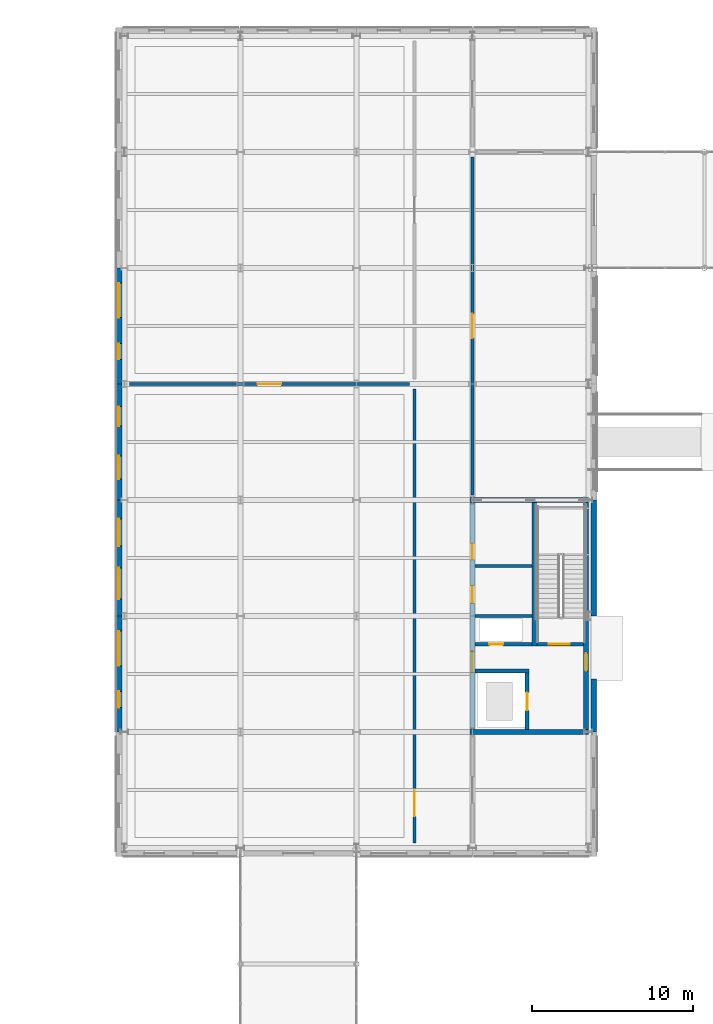
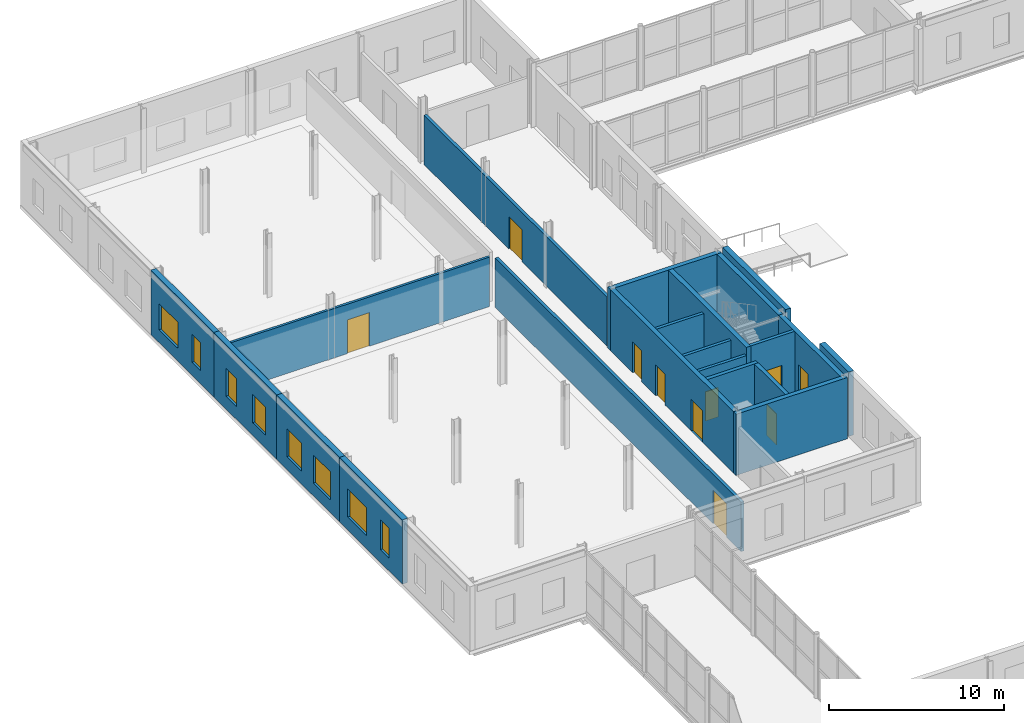
# One storey, part 60 of 92: 21 walls, 10 doors, 8 windows, 18 openings.
"""IFC4 building model written with IfcOpenShell, lengths in metres."""

import ifcopenshell
import ifcopenshell.guid

model = None  # the IFC model being written
_history = None  # IfcOwnerHistory: only IFC2X3 demands one
_inside = {}  # id of a spatial element -> (the spatial element, [elements in it])
_under = {}  # id of a project, library or spatial element -> (it, [spatial elements below it])
_declared = {}  # id of a project -> (the project, [libraries it declares])
_typed = {}  # id of a type object -> (the type object, [elements of that type])
_made_of = {}  # id of a material, layer set ... -> (it, [elements and type objects made of it])


def new_model(schema):
    """Start an empty IFC model of exactly this schema.

    Asked for "IFC4X3", IfcOpenShell would pick the latest addendum, in which some entities
    have other attributes; the version numbers below select the first issue.
    IFC2X3 requires an IfcOwnerHistory on every rooted entity: one is made here for all.
    """
    global model, _history
    if schema == "IFC4X3":
        model = ifcopenshell.file(schema_version=(4, 3, 0, 0))
    else:
        model = ifcopenshell.file(schema=schema)
    _inside.clear()
    _under.clear()
    _declared.clear()
    _typed.clear()
    _made_of.clear()
    _history = None
    if model.schema == "IFC2X3":
        org = make("IfcOrganization", Name="unknown")
        user = make(
            "IfcPersonAndOrganization",
            ThePerson=make("IfcPerson", FamilyName="unknown"),
            TheOrganization=org,
        )
        app = make(
            "IfcApplication",
            ApplicationDeveloper=org,
            Version="unknown",
            ApplicationFullName="unknown",
            ApplicationIdentifier="unknown",
        )
        _history = make(
            "IfcOwnerHistory",
            OwningUser=user,
            OwningApplication=app,
            ChangeAction="ADDED",
            CreationDate=0,
        )
    return model


def make(cls, **values):
    """One entity of the class cls with the attributes given. An attribute that is None is left unset."""
    return model.create_entity(
        cls, **{name: value for name, value in values.items() if value is not None}
    )


def rooted(cls, **values):
    """An entity with a GlobalId (a new one), such as an element, a storey or a relation."""
    return make(cls, GlobalId=ifcopenshell.guid.new(), OwnerHistory=_history, **values)


def si_unit(unit_type, name, prefix=None):
    """IfcSIUnit, for example si_unit("LENGTHUNIT", "METRE", prefix="MILLI")."""
    return make("IfcSIUnit", UnitType=unit_type, Prefix=prefix, Name=name)


def assignment(units):
    """IfcUnitAssignment: the units of a project."""
    return None if units is None else make("IfcUnitAssignment", Units=units)


def point(xyz):
    """IfcCartesianPoint."""
    return None if xyz is None else make("IfcCartesianPoint", Coordinates=xyz)


def direction(xyz):
    """IfcDirection."""
    return None if xyz is None else make("IfcDirection", DirectionRatios=xyz)


def frame(location, z_axis=None, x_axis=None):
    """IfcAxis2Placement3D, a coordinate frame: its origin and axes. An axis left out is left unset."""
    return make(
        "IfcAxis2Placement3D",
        Location=point(location),
        Axis=direction(z_axis),
        RefDirection=direction(x_axis),
    )


def frame_2d(location, x_axis=None):
    """IfcAxis2Placement2D, a coordinate frame in the plane: its origin and x axis."""
    return make(
        "IfcAxis2Placement2D", Location=point(location), RefDirection=direction(x_axis)
    )


def origin():
    """The frame at (0, 0, 0) with its axes left unset."""
    return frame((0.0, 0.0, 0.0))


def place(relative_to, where):
    """IfcLocalPlacement: puts the frame where relative to a parent placement (None: the world)."""
    return make(
        "IfcLocalPlacement", PlacementRelTo=relative_to, RelativePlacement=where
    )


def context(
    kind, dimensions, precision=None, world=None, true_north=None, identifier=None
):
    """IfcGeometricRepresentationContext, for example the 3D "Model" context."""
    return make(
        "IfcGeometricRepresentationContext",
        ContextIdentifier=identifier,
        ContextType=kind,
        CoordinateSpaceDimension=dimensions,
        Precision=precision,
        WorldCoordinateSystem=world,
        TrueNorth=true_north,
    )


def subcontext(parent, identifier, kind, view, scale=None):
    """IfcGeometricRepresentationSubContext, for example "Body" below "Model"."""
    return make(
        "IfcGeometricRepresentationSubContext",
        ContextIdentifier=identifier,
        ContextType=kind,
        ParentContext=parent,
        TargetScale=scale,
        TargetView=view,
    )


def project(units=None, contexts=None):
    """IfcProject with its units and contexts."""
    return rooted(
        "IfcProject",
        Name="project",
        RepresentationContexts=contexts,
        UnitsInContext=assignment(units),
    )


def spatial(cls, under=None, at=None, **own):
    """A site, building, storey or space (cls), placed at a placement, below another one or the project."""
    s = rooted(cls, ObjectPlacement=at, **own)
    if under is not None:
        _under.setdefault(under.id(), (under, []))[1].append(s)
    return s


def profile(cls, at=None, kind="AREA", **sizes):
    """A parametric profile (cls). Its sizes go by their IFC names, for example OverallWidth=200.0."""
    return make(cls, ProfileType=kind, Position=at, **sizes)


def rectangle(**sizes):
    """IfcRectangleProfileDef."""
    return profile("IfcRectangleProfileDef", **sizes)


def extrude(swept, where, along, depth):
    """IfcExtrudedAreaSolid: the profile swept, set in the frame where, extruded along a direction by depth."""
    return make(
        "IfcExtrudedAreaSolid",
        SweptArea=swept,
        Position=where,
        ExtrudedDirection=direction(along),
        Depth=depth,
    )


def shape(context_of_items, identifier, shape_type, items):
    """IfcShapeRepresentation: the items that make up one representation, for example the "Body"."""
    return make(
        "IfcShapeRepresentation",
        ContextOfItems=context_of_items,
        RepresentationIdentifier=identifier,
        RepresentationType=shape_type,
        Items=items,
    )


def material(Name=None, Category=None):
    """IfcMaterial."""
    return make("IfcMaterial", Name=Name, Category=Category)


def layer(
    of_material, thickness, ventilated=None, Name=None, Category=None, Priority=None
):
    """IfcMaterialLayer: one layer of a wall or slab, of a material (None: an air gap)."""
    return make(
        "IfcMaterialLayer",
        Material=of_material,
        LayerThickness=thickness,
        IsVentilated=ventilated,
        Name=Name,
        Category=Category,
        Priority=Priority,
    )


def layer_set(layers, Name=None):
    """IfcMaterialLayerSet."""
    return make("IfcMaterialLayerSet", MaterialLayers=layers, LayerSetName=Name)


def made_of(thing, what):
    """Note that an element or type object is made of a material, layer set ...; save() writes the relation."""
    if what is not None:
        _made_of.setdefault(what.id(), (what, []))[1].append(thing)
    return thing


def type_object(cls, material=None, **own):
    """A type object (cls), such as IfcWallType, which elements share."""
    return made_of(rooted(cls, **own), material)


def element(
    cls,
    number,
    at=None,
    inside=None,
    cuts=None,
    type_object=None,
    material=None,
    context=None,
    identifier="Body",
    shape_type=None,
    held_by="IfcProductDefinitionShape",
    body=None,
    shapes=None,
    **own,
):
    """One element of the class cls, such as IfcWall. Its Tag is "e" and its number.

    at: its placement. inside: the storey or other place that contains it. cuts: it is an
    opening in that element (IfcRelVoidsElement). A single representation is given by context,
    identifier, shape_type and body (its items); several are given by shapes. held_by: the class
    of the entity that holds the representations. save() writes the other relations.
    """
    e = rooted(cls, Tag="e%d" % number, ObjectPlacement=at, **own)
    if body is not None:
        shapes = [shape(context, identifier, shape_type, body)]
    if shapes is not None:
        e.Representation = make(held_by, Representations=shapes)
    if inside is not None:
        _inside.setdefault(inside.id(), (inside, []))[1].append(e)
    if cuts is not None:
        rooted(
            "IfcRelVoidsElement", RelatingBuildingElement=cuts, RelatedOpeningElement=e
        )
    if type_object is not None:
        _typed.setdefault(type_object.id(), (type_object, []))[1].append(e)
    return made_of(e, material)


def fill(opening, filler):
    """IfcRelFillsElement: the door or window that sits in an opening."""
    return rooted(
        "IfcRelFillsElement",
        RelatingOpeningElement=opening,
        RelatedBuildingElement=filler,
    )


def aggregate(whole, parts):
    """IfcRelAggregates: a whole, such as a stair, and the parts it consists of."""
    return rooted("IfcRelAggregates", RelatingObject=whole, RelatedObjects=parts)


def save(model, path):
    """Write the relations noted so far, then the file.

    IfcRelAggregates (storeys below a building ...), IfcRelContainedInSpatialStructure (elements
    in a storey), IfcRelDefinesByType, IfcRelAssociatesMaterial and IfcRelDeclares: one each for
    every whole, place, type object, material and project.
    """
    for whole, parts in _under.values():
        aggregate(whole, parts)
    for where, things in _inside.values():
        rooted(
            "IfcRelContainedInSpatialStructure",
            RelatedElements=things,
            RelatingStructure=where,
        )
    for kind, things in _typed.values():
        rooted("IfcRelDefinesByType", RelatedObjects=things, RelatingType=kind)
    for what, things in _made_of.values():
        rooted("IfcRelAssociatesMaterial", RelatedObjects=things, RelatingMaterial=what)
    for by, libraries in _declared.values():
        rooted("IfcRelDeclares", RelatingContext=by, RelatedDefinitions=libraries)
    model.write(path)


model = new_model("IFC4")

# Units and contexts
model_context = context("Model", 3, precision=1e-05, world=origin(), true_north=direction((0.0, 1.0)))
body_context = subcontext(model_context, "Body", "Model", "MODEL_VIEW")
ifc_project = project(units=[si_unit("LENGTHUNIT", "METRE"), si_unit("AREAUNIT", "SQUARE_METRE"), si_unit("VOLUMEUNIT", "CUBIC_METRE"), si_unit("PLANEANGLEUNIT", "RADIAN"), si_unit("MASSUNIT", "GRAM", prefix="KILO")], contexts=[model_context])

# Site, building, storey
site_placement = place(None, origin())
site = spatial("IfcSite", under=ifc_project, at=site_placement, CompositionType="ELEMENT")
building_placement = place(site_placement, origin())
building = spatial("IfcBuilding", under=site, at=building_placement, Name="Zlatovets Crest Museum", CompositionType="ELEMENT")
storey_placement = place(building_placement, origin())
storey = spatial("IfcBuildingStorey", under=building, at=storey_placement, Name="L00", CompositionType="ELEMENT", Elevation=0.0)

# Walls
ifc_material_1 = material(Name="Concrete C35/45", Category="concrete")
ifc_layer_1 = layer(ifc_material_1, 0.300048828125)
ifc_layer_set_1 = layer_set([ifc_layer_1], Name="Concrete C35/45")
wall_type_1 = type_object("IfcWallType", Name="CoreWall_SW01", PredefinedType="SHEAR", material=ifc_layer_set_1)
for number, where, z_axis, x_axis, name in (
    (1, (28.64990234375, 57.60009765625, 0.0), (0.0, 0.0, 1.0), (1.0, 0.0, 0.0), "Core C4 L00 South Shear Wall"),
    (2, (28.64990234375, 72.0, 0.0), (0.0, 0.0, 1.0), (1.0, 0.0, 0.0), "Core C4 L00 North Shear Wall"),
):
    element("IfcWall", number, at=place(storey_placement, frame(where, z_axis=z_axis, x_axis=x_axis)), inside=storey, type_object=wall_type_1, Name=name, PredefinedType="SHEAR", context=body_context, shape_type="SweptSolid", body=[
        extrude(rectangle(XDim=7.35009765625, YDim=0.300048828125, at=frame_2d((3.675048828125, 0.0))), origin(), (0.0, 0.0, 1.0), 4.280029296875),
    ])

# Wall, opening, door
wall_1_placement = place(storey_placement, frame((35.85009765625, 57.75, 0.0), z_axis=(0.0, 0.0, 1.0), x_axis=(0.0, 1.0, 0.0)))
wall_1 = element("IfcWall", 3, at=wall_1_placement, inside=storey, type_object=wall_type_1, Name="Core C4 L00 Protected Lobby Exterior Shear Wall", PredefinedType="SHEAR", context=body_context, shape_type="SweptSolid", body=[
    extrude(rectangle(XDim=7.050048828125, YDim=0.300048828125, at=frame_2d((3.52490234375, 0.0))), origin(), (0.0, 0.0, 1.0), 4.280029296875),
])
opening_1_placement = place(wall_1_placement, frame((3.64990234375, 0.0, 0.0)))
opening_1 = element("IfcOpeningElement", 4, at=opening_1_placement, cuts=wall_1, Name="Opening ED-03", PredefinedType="OPENING", context=body_context, shape_type="SweptSolid", body=[
    extrude(rectangle(XDim=1.10009765625, YDim=2.199951171875, at=frame_2d((0.550048828125, 1.10009765625))), frame((0.0, 0.16015625, 0.0), z_axis=(0.0, -1.0, 0.0), x_axis=(1.0, 0.0, 0.0)), (0.0, 0.0, 1.0), 0.320068359375),
])
ifc_material_2 = material(Name="Bronze-clad insulated steel door", Category="steel")
door_type_1 = type_object("IfcDoorType", Name="ExtDoor_ED-03", OperationType="NOTDEFINED", PredefinedType="DOOR", material=ifc_material_2)
door_1_placement = place(opening_1_placement, origin())
door_1 = element("IfcDoor", 5, at=door_1_placement, inside=storey, type_object=door_type_1, Name="ED-ST4-EXIT Stair ST4 Direct Final Exterior Exit Door", OperationType="SINGLE_SWING_LEFT", OverallHeight=2.199951171875, OverallWidth=1.10009765625, PredefinedType="DOOR", context=body_context, shape_type="SweptSolid", body=[
    extrude(rectangle(XDim=1.10009765625, YDim=2.199951171875, at=frame_2d((0.550048828125, 1.10009765625))), frame((0.0, 0.02490234375, 0.0), z_axis=(0.0, -1.0, 0.0), x_axis=(1.0, 0.0, 0.0)), (0.0, 0.0, 1.0), 0.050048828125),
])
fill(opening_1, door_1)

# Wall
wall_2_placement = place(storey_placement, frame((35.85009765625, 64.800048828125, 0.0), z_axis=(0.0, 0.0, 1.0), x_axis=(0.0, 1.0, 0.0)))
element("IfcWall", 6, at=wall_2_placement, inside=storey, type_object=wall_type_1, Name="Core C4 L00 Stairwell Perimeter Shear Wall", PredefinedType="SHEAR", context=body_context, shape_type="SweptSolid", body=[
    extrude(rectangle(XDim=7.050048828125, YDim=0.300048828125, at=frame_2d((3.52490234375, 0.0))), origin(), (0.0, 0.0, 1.0), 4.280029296875),
])

# Wall, openings, doors
wall_3_placement = place(storey_placement, frame((28.800048828125, 57.75, 0.0), z_axis=(0.0, 0.0, 1.0), x_axis=(0.0, 1.0, 0.0)))
wall_3 = element("IfcWall", 7, at=wall_3_placement, inside=storey, type_object=wall_type_1, Name="Core C4 L00 Spine Shear Wall", PredefinedType="SHEAR", context=body_context, shape_type="SweptSolid", body=[
    extrude(rectangle(XDim=14.10009765625, YDim=0.300048828125, at=frame_2d((7.050048828125, 0.0))), origin(), (0.0, 0.0, 1.0), 4.280029296875),
])
opening_2_placement = place(wall_3_placement, frame((3.550048828125, 0.0, 0.0)))
opening_2 = element("IfcOpeningElement", 8, at=opening_2_placement, cuts=wall_3, Name="Opening FD-01", PredefinedType="OPENING", context=body_context, shape_type="SweptSolid", body=[
    extrude(rectangle(XDim=1.300048828125, YDim=2.199951171875, at=frame_2d((0.64990234375, 1.10009765625))), frame((0.0, 0.16015625, 0.0), z_axis=(0.0, -1.0, 0.0), x_axis=(1.0, 0.0, 0.0)), (0.0, 0.0, 1.0), 0.320068359375),
])
opening_3_placement = place(wall_3_placement, frame((7.85009765625, 0.0, 0.0)))
opening_3 = element("IfcOpeningElement", 9, at=opening_3_placement, cuts=wall_3, Name="Opening ID-02", PredefinedType="OPENING", context=body_context, shape_type="SweptSolid", body=[
    extrude(rectangle(XDim=1.050048828125, YDim=2.14990234375, at=frame_2d((0.52490234375, 1.074951171875))), frame((0.0, 0.16015625, 0.0), z_axis=(0.0, -1.0, 0.0), x_axis=(1.0, 0.0, 0.0)), (0.0, 0.0, 1.0), 0.320068359375),
])
opening_4_placement = place(wall_3_placement, frame((10.550048828125, 0.0, 0.0)))
opening_4 = element("IfcOpeningElement", 10, at=opening_4_placement, cuts=wall_3, Name="Opening ID-01", PredefinedType="OPENING", context=body_context, shape_type="SweptSolid", body=[
    extrude(rectangle(XDim=1.0, YDim=2.14990234375, at=frame_2d((0.5, 1.074951171875))), frame((0.0, 0.16015625, 0.0), z_axis=(0.0, -1.0, 0.0), x_axis=(1.0, 0.0, 0.0)), (0.0, 0.0, 1.0), 0.320068359375),
])
ifc_material_3 = material(Name="Smoke-sealed steel fire door", Category="steel")
door_type_2 = type_object("IfcDoorType", Name="IntDoor_FD-01", OperationType="NOTDEFINED", PredefinedType="DOOR", material=ifc_material_3)
door_2_placement = place(opening_2_placement, origin())
door_2 = element("IfcDoor", 11, at=door_2_placement, inside=storey, type_object=door_type_2, Name="CDOOR-C4-L00-LOB Core C4 L00 Lobby Fire Door", OperationType="SINGLE_SWING_RIGHT", OverallHeight=2.199951171875, OverallWidth=1.300048828125, PredefinedType="DOOR", context=body_context, shape_type="SweptSolid", body=[
    extrude(rectangle(XDim=1.300048828125, YDim=2.199951171875, at=frame_2d((0.64990234375, 1.10009765625))), frame((0.0, 0.02490234375, 0.0), z_axis=(0.0, -1.0, 0.0), x_axis=(1.0, 0.0, 0.0)), (0.0, 0.0, 1.0), 0.050048828125),
])
fill(opening_2, door_2)
ifc_material_4 = material(Name="Solid oak museum room door")
door_type_3 = type_object("IfcDoorType", Name="IntDoor_ID-01", OperationType="NOTDEFINED", PredefinedType="DOOR", material=ifc_material_4)
door_3_placement = place(opening_4_placement, origin())
door_3 = element("IfcDoor", 12, at=door_3_placement, inside=storey, type_object=door_type_3, Name="CDOOR-C4-L00-WC Core C4 L00 Public Restroom Door", OperationType="SINGLE_SWING_RIGHT", OverallHeight=2.14990234375, OverallWidth=1.0, PredefinedType="DOOR", context=body_context, shape_type="SweptSolid", body=[
    extrude(rectangle(XDim=1.0, YDim=2.14990234375, at=frame_2d((0.5, 1.074951171875))), frame((0.0, 0.02490234375, 0.0), z_axis=(0.0, -1.0, 0.0), x_axis=(1.0, 0.0, 0.0)), (0.0, 0.0, 1.0), 0.050048828125),
])
fill(opening_4, door_3)
ifc_material_5 = material(Name="Accessible sanitary room door")
door_type_4 = type_object("IfcDoorType", Name="IntDoor_ID-02", OperationType="NOTDEFINED", PredefinedType="DOOR", material=ifc_material_5)
door_4_placement = place(opening_3_placement, origin())
door_4 = element("IfcDoor", 13, at=door_4_placement, inside=storey, type_object=door_type_4, Name="CDOOR-C4-L00-AWC Core C4 L00 Accessible WC Door", OperationType="SINGLE_SWING_LEFT", OverallHeight=2.14990234375, OverallWidth=1.050048828125, PredefinedType="DOOR", context=body_context, shape_type="SweptSolid", body=[
    extrude(rectangle(XDim=1.050048828125, YDim=2.14990234375, at=frame_2d((0.52490234375, 1.074951171875))), frame((0.0, 0.02490234375, 0.0), z_axis=(0.0, -1.0, 0.0), x_axis=(1.0, 0.0, 0.0)), (0.0, 0.0, 1.0), 0.050048828125),
])
fill(opening_3, door_4)

# Wall
wall_4_placement = place(storey_placement, frame((32.64990234375, 62.93994140625, 0.0), z_axis=(0.0, 0.0, 1.0), x_axis=(0.0, 1.0, 0.0)))
element("IfcWall", 14, at=wall_4_placement, inside=storey, type_object=wall_type_1, Name="Core C4 L00 Stair Divider Wall", PredefinedType="SHEAR", context=body_context, shape_type="SweptSolid", body=[
    extrude(rectangle(XDim=8.91015625, YDim=0.300048828125, at=frame_2d((4.455078125, 0.0))), origin(), (0.0, 0.0, 1.0), 4.280029296875),
])

# Wall, opening, door
ifc_layer_2 = layer(ifc_material_1, 0.25)
ifc_layer_set_2 = layer_set([ifc_layer_2], Name="Concrete C35/45")
wall_type_2 = type_object("IfcWallType", Name="CoreWall_SW02", PredefinedType="SHEAR", material=ifc_layer_set_2)
wall_5_placement = place(storey_placement, frame((32.199951171875, 57.75, 0.0), z_axis=(0.0, 0.0, 1.0), x_axis=(0.0, 1.0, 0.0)))
wall_5 = element("IfcWall", 15, at=wall_5_placement, inside=storey, type_object=wall_type_2, Name="Core C4 L00 Lift Shaft Wall", PredefinedType="SHEAR", context=body_context, shape_type="SweptSolid", body=[
    extrude(rectangle(XDim=3.52490234375, YDim=0.25, at=frame_2d((1.762451171875, 0.0))), origin(), (0.0, 0.0, 1.0), 4.280029296875),
])
opening_5_placement = place(wall_5_placement, frame((1.199951171875, 0.0, 0.0)))
opening_5 = element("IfcOpeningElement", 16, at=opening_5_placement, cuts=wall_5, Name="Opening LD-01", PredefinedType="OPENING", context=body_context, shape_type="SweptSolid", body=[
    extrude(rectangle(XDim=1.10009765625, YDim=2.14990234375, at=frame_2d((0.550048828125, 1.074951171875))), frame((0.0, 0.135009765625, 0.0), z_axis=(0.0, -1.0, 0.0), x_axis=(1.0, 0.0, 0.0)), (0.0, 0.0, 1.0), 0.27001953125),
])
ifc_material_6 = material(Name="Stainless-bronze sliding lift landing door")
door_type_5 = type_object("IfcDoorType", Name="IntDoor_LD-01", OperationType="SLIDING_TO_LEFT", PredefinedType="DOOR", material=ifc_material_6)
door_5_placement = place(opening_5_placement, origin())
door_5 = element("IfcDoor", 17, at=door_5_placement, inside=storey, type_object=door_type_5, Name="LDOOR-PL2-L00 Lift PL2 L00 Sliding Landing Door", OperationType="SLIDING_TO_LEFT", OverallHeight=2.14990234375, OverallWidth=1.10009765625, PredefinedType="DOOR", context=body_context, shape_type="SweptSolid", body=[
    extrude(rectangle(XDim=1.10009765625, YDim=2.14990234375, at=frame_2d((0.550048828125, 1.074951171875))), frame((0.0, 0.02490234375, 0.0), z_axis=(0.0, -1.0, 0.0), x_axis=(1.0, 0.0, 0.0)), (0.0, 0.0, 1.0), 0.050048828125),
])
fill(opening_5, door_5)

wall_6_placement = place(storey_placement, frame((32.800048828125, 63.050048828125, 0.0), z_axis=(0.0, 0.0, 1.0), x_axis=(1.0, 0.0, 0.0)))
wall_6 = element("IfcWall", 18, at=wall_6_placement, inside=storey, type_object=wall_type_2, Name="Core C4 L00 Stairwell Fire Wall", PredefinedType="SHEAR", context=body_context, shape_type="SweptSolid", body=[
    extrude(rectangle(XDim=2.89990234375, YDim=0.219970703125, at=frame_2d((1.449951171875, 0.0))), origin(), (0.0, 0.0, 1.0), 4.280029296875),
])
opening_6_placement = place(wall_6_placement, frame((0.75, 0.0, 0.0)))
opening_6 = element("IfcOpeningElement", 19, at=opening_6_placement, cuts=wall_6, Name="Opening FD-01", PredefinedType="OPENING", context=body_context, shape_type="SweptSolid", body=[
    extrude(rectangle(XDim=1.300048828125, YDim=2.199951171875, at=frame_2d((0.64990234375, 1.10009765625))), frame((0.0, 0.1201171875, 0.0), z_axis=(0.0, -1.0, 0.0), x_axis=(1.0, 0.0, 0.0)), (0.0, 0.0, 1.0), 0.239990234375),
])
door_6_placement = place(opening_6_placement, origin())
door_6 = element("IfcDoor", 20, at=door_6_placement, inside=storey, type_object=door_type_2, Name="SDOOR-ST4-L00 Stair ST4 L00 Fire Door", OperationType="SINGLE_SWING_LEFT", OverallHeight=2.199951171875, OverallWidth=1.300048828125, PredefinedType="DOOR", context=body_context, shape_type="SweptSolid", body=[
    extrude(rectangle(XDim=1.300048828125, YDim=2.199951171875, at=frame_2d((0.64990234375, 1.10009765625))), frame((0.0, 0.02490234375, 0.0), z_axis=(0.0, -1.0, 0.0), x_axis=(1.0, 0.0, 0.0)), (0.0, 0.0, 1.0), 0.050048828125),
])
fill(opening_6, door_6)

# Walls
wall_7_placement = place(storey_placement, frame((28.949951171875, 61.39990234375, 0.0), z_axis=(0.0, 0.0, 1.0), x_axis=(1.0, 0.0, 0.0)))
element("IfcWall", 21, at=wall_7_placement, inside=storey, type_object=wall_type_2, Name="Core C4 L00 Lift Shaft North Shear Wall", PredefinedType="SHEAR", context=body_context, shape_type="SweptSolid", body=[
    extrude(rectangle(XDim=3.375, YDim=0.25, at=frame_2d((1.6875, 0.0))), origin(), (0.0, 0.0, 1.0), 4.280029296875),
])
ifc_material_7 = material(Name="Vratsa limestone ashlar masonry and mineral wool", Category="masonry")
ifc_layer_3 = layer(ifc_material_7, 0.35009765625)
ifc_layer_set_3 = layer_set([ifc_layer_3], Name="Vratsa limestone ashlar masonry and mineral wool")
wall_type_3 = type_object("IfcWallType", Name="ExtWall_EW-01", PredefinedType="STANDARD", material=ifc_layer_set_3)
wall_8_placement = place(storey_placement, frame((36.340087890625, 57.60009765625, 0.0), z_axis=(0.0, 0.0, 1.0), x_axis=(0.0, 1.0, 0.0)))
element("IfcWall", 22, at=wall_8_placement, inside=storey, type_object=wall_type_3, Name="V4 L00 Vratsa Limestone Core Plinth", PredefinedType="STANDARD", context=body_context, shape_type="SweptSolid", body=[
    extrude(rectangle(XDim=3.2998046875, YDim=0.35009765625, at=frame_2d((1.64990234375, 0.0))), origin(), (0.0, 0.0, 1.0), 4.5),
])
wall_9_placement = place(storey_placement, frame((36.340087890625, 64.800048828125, 0.0), z_axis=(0.0, 0.0, 1.0), x_axis=(0.0, 1.0, 0.0)))
element("IfcWall", 23, at=wall_9_placement, inside=storey, type_object=wall_type_3, Name="V4 L00 Vratsa Limestone Core Plinth", PredefinedType="STANDARD", context=body_context, shape_type="SweptSolid", body=[
    extrude(rectangle(XDim=7.199951171875, YDim=0.35009765625, at=frame_2d((3.60009765625, 0.0))), origin(), (0.0, 0.0, 1.0), 4.5),
])

# Wall, openings, windows
wall_10_placement = place(storey_placement, frame((6.860107421875, 86.39990234375, 0.0), z_axis=(0.0, 0.0, 1.0), x_axis=(0.0, -1.0, 0.0)))
wall_10 = element("IfcWall", 24, at=wall_10_placement, inside=storey, type_object=wall_type_3, Name="V4 L00 Vratsa Limestone Plinth Wall", PredefinedType="STANDARD", context=body_context, shape_type="SweptSolid", body=[
    extrude(rectangle(XDim=7.199951171875, YDim=0.35009765625, at=frame_2d((3.60009765625, 0.0))), origin(), (0.0, 0.0, 1.0), 4.5),
])
opening_7_placement = place(wall_10_placement, frame((0.946044921875, 0.0, 0.89990234375)))
opening_7 = element("IfcOpeningElement", 25, at=opening_7_placement, cuts=wall_10, Name="Opening WN-33", PredefinedType="OPENING", context=body_context, shape_type="SweptSolid", body=[
    extrude(rectangle(XDim=2.139892578125, YDim=1.820068359375, at=frame_2d((1.06982421875, 0.91015625))), frame((0.0, 0.18505859375, 0.0), z_axis=(0.0, -1.0, 0.0), x_axis=(1.0, 0.0, 0.0)), (0.0, 0.0, 1.0), 0.3701171875),
])
opening_8_placement = place(wall_10_placement, frame((4.698974609375, 0.0, 0.89990234375)))
opening_8 = element("IfcOpeningElement", 26, at=opening_8_placement, cuts=wall_10, Name="Opening WN-34", PredefinedType="OPENING", context=body_context, shape_type="SweptSolid", body=[
    extrude(rectangle(XDim=0.969970703125, YDim=1.9599609375, at=frame_2d((0.48486328125, 0.97998046875))), frame((0.0, 0.18505859375, 0.0), z_axis=(0.0, -1.0, 0.0), x_axis=(1.0, 0.0, 0.0)), (0.0, 0.0, 1.0), 0.3701171875),
])
ifc_material_8 = material(Name="Bronze-anodised aluminium frame with low-E triple glass", Category="aluminium")
window_type_1 = type_object("IfcWindowType", Name="Win_WN-33", PartitioningType="SINGLE_PANEL", PredefinedType="WINDOW", material=ifc_material_8)
window_1_placement = place(opening_7_placement, origin())
window_1 = element("IfcWindow", 27, at=window_1_placement, inside=storey, type_object=window_type_1, Name="V4 L00 Secession Plinth Window WN-33", OverallHeight=1.820068359375, OverallWidth=2.139892578125, PartitioningType="SINGLE_PANEL", PredefinedType="WINDOW", context=body_context, shape_type="SweptSolid", body=[
    extrude(rectangle(XDim=2.139892578125, YDim=1.820068359375, at=frame_2d((1.06982421875, 0.91015625))), frame((0.0, 0.030029296875, 0.0), z_axis=(0.0, -1.0, 0.0), x_axis=(1.0, 0.0, 0.0)), (0.0, 0.0, 1.0), 0.06005859375),
])
fill(opening_7, window_1)
window_type_2 = type_object("IfcWindowType", Name="Win_WN-34", PartitioningType="SINGLE_PANEL", PredefinedType="WINDOW", material=ifc_material_8)
window_2_placement = place(opening_8_placement, origin())
window_2 = element("IfcWindow", 28, at=window_2_placement, inside=storey, type_object=window_type_2, Name="V4 L00 Secession Plinth Window WN-34", OverallHeight=1.9599609375, OverallWidth=0.969970703125, PartitioningType="SINGLE_PANEL", PredefinedType="WINDOW", context=body_context, shape_type="SweptSolid", body=[
    extrude(rectangle(XDim=0.969970703125, YDim=1.9599609375, at=frame_2d((0.48486328125, 0.97998046875))), frame((0.0, 0.030029296875, 0.0), z_axis=(0.0, -1.0, 0.0), x_axis=(1.0, 0.0, 0.0)), (0.0, 0.0, 1.0), 0.06005859375),
])
fill(opening_8, window_2)

wall_11_placement = place(storey_placement, frame((6.860107421875, 79.199951171875, 0.0), z_axis=(0.0, 0.0, 1.0), x_axis=(0.0, -1.0, 0.0)))
wall_11 = element("IfcWall", 29, at=wall_11_placement, inside=storey, type_object=wall_type_3, Name="V4 L00 Vratsa Limestone Plinth Wall", PredefinedType="STANDARD", context=body_context, shape_type="SweptSolid", body=[
    extrude(rectangle(XDim=7.199951171875, YDim=0.35009765625, at=frame_2d((3.60009765625, 0.0))), origin(), (0.0, 0.0, 1.0), 4.5),
])
opening_9_placement = place(wall_11_placement, frame((1.410888671875, 0.0, 0.89990234375)))
opening_9 = element("IfcOpeningElement", 30, at=opening_9_placement, cuts=wall_11, Name="Opening WN-35", PredefinedType="OPENING", context=body_context, shape_type="SweptSolid", body=[
    extrude(rectangle(XDim=1.2099609375, YDim=1.9599609375, at=frame_2d((0.60498046875, 0.97998046875))), frame((0.0, 0.18505859375, 0.0), z_axis=(0.0, -1.0, 0.0), x_axis=(1.0, 0.0, 0.0)), (0.0, 0.0, 1.0), 0.3701171875),
])
opening_10_placement = place(wall_11_placement, frame((4.458984375, 0.0, 0.89990234375)))
opening_10 = element("IfcOpeningElement", 31, at=opening_10_placement, cuts=wall_11, Name="Opening WN-36", PredefinedType="OPENING", context=body_context, shape_type="SweptSolid", body=[
    extrude(rectangle(XDim=1.449951171875, YDim=1.9599609375, at=frame_2d((0.72509765625, 0.97998046875))), frame((0.0, 0.18505859375, 0.0), z_axis=(0.0, -1.0, 0.0), x_axis=(1.0, 0.0, 0.0)), (0.0, 0.0, 1.0), 0.3701171875),
])
window_type_3 = type_object("IfcWindowType", Name="Win_WN-35", PartitioningType="SINGLE_PANEL", PredefinedType="WINDOW", material=ifc_material_8)
window_3_placement = place(opening_9_placement, origin())
window_3 = element("IfcWindow", 32, at=window_3_placement, inside=storey, type_object=window_type_3, Name="V4 L00 Secession Plinth Window WN-35", OverallHeight=1.9599609375, OverallWidth=1.2099609375, PartitioningType="SINGLE_PANEL", PredefinedType="WINDOW", context=body_context, shape_type="SweptSolid", body=[
    extrude(rectangle(XDim=1.2099609375, YDim=1.9599609375, at=frame_2d((0.60498046875, 0.97998046875))), frame((0.0, 0.030029296875, 0.0), z_axis=(0.0, -1.0, 0.0), x_axis=(1.0, 0.0, 0.0)), (0.0, 0.0, 1.0), 0.06005859375),
])
fill(opening_9, window_3)
window_type_4 = type_object("IfcWindowType", Name="Win_WN-36", PartitioningType="SINGLE_PANEL", PredefinedType="WINDOW", material=ifc_material_8)
window_4_placement = place(opening_10_placement, origin())
window_4 = element("IfcWindow", 33, at=window_4_placement, inside=storey, type_object=window_type_4, Name="V4 L00 Secession Plinth Window WN-36", OverallHeight=1.9599609375, OverallWidth=1.449951171875, PartitioningType="SINGLE_PANEL", PredefinedType="WINDOW", context=body_context, shape_type="SweptSolid", body=[
    extrude(rectangle(XDim=1.449951171875, YDim=1.9599609375, at=frame_2d((0.72509765625, 0.97998046875))), frame((0.0, 0.030029296875, 0.0), z_axis=(0.0, -1.0, 0.0), x_axis=(1.0, 0.0, 0.0)), (0.0, 0.0, 1.0), 0.06005859375),
])
fill(opening_10, window_4)

wall_12_placement = place(storey_placement, frame((6.860107421875, 72.0, 0.0), z_axis=(0.0, 0.0, 1.0), x_axis=(0.0, -1.0, 0.0)))
wall_12 = element("IfcWall", 34, at=wall_12_placement, inside=storey, type_object=wall_type_3, Name="V4 L00 Vratsa Limestone Plinth Wall", PredefinedType="STANDARD", context=body_context, shape_type="SweptSolid", body=[
    extrude(rectangle(XDim=7.199951171875, YDim=0.35009765625, at=frame_2d((3.60009765625, 0.0))), origin(), (0.0, 0.0, 1.0), 4.5),
])
opening_11_placement = place(wall_12_placement, frame((1.1708984375, 0.0, 0.89990234375)))
opening_11 = element("IfcOpeningElement", 35, at=opening_11_placement, cuts=wall_12, Name="Opening WN-37", PredefinedType="OPENING", context=body_context, shape_type="SweptSolid", body=[
    extrude(rectangle(XDim=1.68994140625, YDim=1.9599609375, at=frame_2d((0.844970703125, 0.97998046875))), frame((0.0, 0.18505859375, 0.0), z_axis=(0.0, -1.0, 0.0), x_axis=(1.0, 0.0, 0.0)), (0.0, 0.0, 1.0), 0.3701171875),
])
opening_12_placement = place(wall_12_placement, frame((4.218994140625, 0.0, 0.89990234375)))
opening_12 = element("IfcOpeningElement", 36, at=opening_12_placement, cuts=wall_12, Name="Opening WN-38", PredefinedType="OPENING", context=body_context, shape_type="SweptSolid", body=[
    extrude(rectangle(XDim=1.929931640625, YDim=1.9599609375, at=frame_2d((0.96484375, 0.97998046875))), frame((0.0, 0.18505859375, 0.0), z_axis=(0.0, -1.0, 0.0), x_axis=(1.0, 0.0, 0.0)), (0.0, 0.0, 1.0), 0.3701171875),
])
window_type_5 = type_object("IfcWindowType", Name="Win_WN-37", PartitioningType="SINGLE_PANEL", PredefinedType="WINDOW", material=ifc_material_8)
window_5_placement = place(opening_11_placement, origin())
window_5 = element("IfcWindow", 37, at=window_5_placement, inside=storey, type_object=window_type_5, Name="V4 L00 Secession Plinth Window WN-37", OverallHeight=1.9599609375, OverallWidth=1.68994140625, PartitioningType="SINGLE_PANEL", PredefinedType="WINDOW", context=body_context, shape_type="SweptSolid", body=[
    extrude(rectangle(XDim=1.68994140625, YDim=1.9599609375, at=frame_2d((0.844970703125, 0.97998046875))), frame((0.0, 0.030029296875, 0.0), z_axis=(0.0, -1.0, 0.0), x_axis=(1.0, 0.0, 0.0)), (0.0, 0.0, 1.0), 0.06005859375),
])
fill(opening_11, window_5)
window_type_6 = type_object("IfcWindowType", Name="Win_WN-38", PartitioningType="SINGLE_PANEL", PredefinedType="WINDOW", material=ifc_material_8)
window_6_placement = place(opening_12_placement, origin())
window_6 = element("IfcWindow", 38, at=window_6_placement, inside=storey, type_object=window_type_6, Name="V4 L00 Secession Plinth Window WN-38", OverallHeight=1.9599609375, OverallWidth=1.929931640625, PartitioningType="SINGLE_PANEL", PredefinedType="WINDOW", context=body_context, shape_type="SweptSolid", body=[
    extrude(rectangle(XDim=1.929931640625, YDim=1.9599609375, at=frame_2d((0.96484375, 0.97998046875))), frame((0.0, 0.030029296875, 0.0), z_axis=(0.0, -1.0, 0.0), x_axis=(1.0, 0.0, 0.0)), (0.0, 0.0, 1.0), 0.06005859375),
])
fill(opening_12, window_6)

wall_13_placement = place(storey_placement, frame((6.860107421875, 64.800048828125, 0.0), z_axis=(0.0, 0.0, 1.0), x_axis=(0.0, -1.0, 0.0)))
wall_13 = element("IfcWall", 39, at=wall_13_placement, inside=storey, type_object=wall_type_3, Name="V4 L00 Vratsa Limestone Plinth Wall", PredefinedType="STANDARD", context=body_context, shape_type="SweptSolid", body=[
    extrude(rectangle(XDim=7.199951171875, YDim=0.35009765625, at=frame_2d((3.60009765625, 0.0))), origin(), (0.0, 0.0, 1.0), 4.5),
])
opening_13_placement = place(wall_13_placement, frame((0.930908203125, 0.0, 0.89990234375)))
opening_13 = element("IfcOpeningElement", 40, at=opening_13_placement, cuts=wall_13, Name="Opening WN-39", PredefinedType="OPENING", context=body_context, shape_type="SweptSolid", body=[
    extrude(rectangle(XDim=2.169921875, YDim=1.9599609375, at=frame_2d((1.0849609375, 0.97998046875))), frame((0.0, 0.18505859375, 0.0), z_axis=(0.0, -1.0, 0.0), x_axis=(1.0, 0.0, 0.0)), (0.0, 0.0, 1.0), 0.3701171875),
])
opening_14_placement = place(wall_13_placement, frame((4.68408203125, 0.0, 0.89990234375)))
opening_14 = element("IfcOpeningElement", 41, at=opening_14_placement, cuts=wall_13, Name="Opening WN-40", PredefinedType="OPENING", context=body_context, shape_type="SweptSolid", body=[
    extrude(rectangle(XDim=1.0, YDim=2.10009765625, at=frame_2d((0.5, 1.050048828125))), frame((0.0, 0.18505859375, 0.0), z_axis=(0.0, -1.0, 0.0), x_axis=(1.0, 0.0, 0.0)), (0.0, 0.0, 1.0), 0.3701171875),
])
window_type_7 = type_object("IfcWindowType", Name="Win_WN-39", PartitioningType="SINGLE_PANEL", PredefinedType="WINDOW", material=ifc_material_8)
window_7_placement = place(opening_13_placement, origin())
window_7 = element("IfcWindow", 42, at=window_7_placement, inside=storey, type_object=window_type_7, Name="V4 L00 Secession Plinth Window WN-39", OverallHeight=1.9599609375, OverallWidth=2.169921875, PartitioningType="SINGLE_PANEL", PredefinedType="WINDOW", context=body_context, shape_type="SweptSolid", body=[
    extrude(rectangle(XDim=2.169921875, YDim=1.9599609375, at=frame_2d((1.0849609375, 0.97998046875))), frame((0.0, 0.030029296875, 0.0), z_axis=(0.0, -1.0, 0.0), x_axis=(1.0, 0.0, 0.0)), (0.0, 0.0, 1.0), 0.06005859375),
])
fill(opening_13, window_7)
window_type_8 = type_object("IfcWindowType", Name="Win_WN-40", PartitioningType="SINGLE_PANEL", PredefinedType="WINDOW", material=ifc_material_8)
window_8_placement = place(opening_14_placement, origin())
window_8 = element("IfcWindow", 43, at=window_8_placement, inside=storey, type_object=window_type_8, Name="V4 L00 Secession Plinth Window WN-40", OverallHeight=2.10009765625, OverallWidth=1.0, PartitioningType="SINGLE_PANEL", PredefinedType="WINDOW", context=body_context, shape_type="SweptSolid", body=[
    extrude(rectangle(XDim=1.0, YDim=2.10009765625, at=frame_2d((0.5, 1.050048828125))), frame((0.0, 0.030029296875, 0.0), z_axis=(0.0, -1.0, 0.0), x_axis=(1.0, 0.0, 0.0)), (0.0, 0.0, 1.0), 0.06005859375),
])
fill(opening_14, window_8)

# Wall, opening, door
ifc_material_9 = material(Name="Gypsum-encased fire compartment partition")
ifc_layer_4 = layer(ifc_material_9, 0.199951171875)
ifc_layer_set_4 = layer_set([ifc_layer_4], Name="Gypsum-encased fire compartment partition")
wall_type_4 = type_object("IfcWallType", Name="PartWall_PT-01", PredefinedType="PARTITIONING", material=ifc_layer_set_4)
wall_14_placement = place(storey_placement, frame((25.199951171875, 50.719970703125, 0.0), z_axis=(0.0, 0.0, 1.0), x_axis=(0.0, 1.0, 0.0)))
wall_14 = element("IfcWall", 44, at=wall_14_placement, inside=storey, type_object=wall_type_4, Name="V4 L00 Interior Partition PT-01", PredefinedType="PARTITIONING", context=body_context, shape_type="SweptSolid", body=[
    extrude(rectangle(XDim=28.159912109375, YDim=0.199951171875, at=frame_2d((14.080078125, 0.0))), origin(), (0.0, 0.0, 1.0), 3.449951171875),
])
opening_15_placement = place(wall_14_placement, frame((1.648681640625, 0.0, 0.0)))
opening_15 = element("IfcOpeningElement", 45, at=opening_15_placement, cuts=wall_14, Name="Opening ID-04", PredefinedType="OPENING", context=body_context, shape_type="SweptSolid", body=[
    extrude(rectangle(XDim=1.60009765625, YDim=2.35009765625, at=frame_2d((0.800048828125, 1.175048828125))), frame((0.0, 0.10986328125, 0.0), z_axis=(0.0, -1.0, 0.0), x_axis=(1.0, 0.0, 0.0)), (0.0, 0.0, 1.0), 0.219970703125),
])
ifc_material_10 = material(Name="Gallery salon double portal door")
door_type_6 = type_object("IfcDoorType", Name="IntDoor_ID-04", OperationType="DOUBLE_DOOR_SINGLE_SWING", PredefinedType="DOOR", material=ifc_material_10)
door_7_placement = place(opening_15_placement, origin())
door_7 = element("IfcDoor", 46, at=door_7_placement, inside=storey, type_object=door_type_6, Name="IDOOR-V4-L00-0073 West Court Gallery Corridor L00 to Vitosha Geology and Paleobotany Gallery Door", OperationType="DOUBLE_DOOR_SINGLE_SWING", OverallHeight=2.35009765625, OverallWidth=1.60009765625, PredefinedType="DOOR", context=body_context, shape_type="SweptSolid", body=[
    extrude(rectangle(XDim=1.60009765625, YDim=2.35009765625, at=frame_2d((0.800048828125, 1.175048828125))), frame((0.0, 0.02490234375, 0.0), z_axis=(0.0, -1.0, 0.0), x_axis=(1.0, 0.0, 0.0)), (0.0, 0.0, 1.0), 0.050048828125),
])
fill(opening_15, door_7)

wall_15_placement = place(storey_placement, frame((28.800048828125, 72.320068359375, 0.0), z_axis=(0.0, 0.0, 1.0), x_axis=(0.0, 1.0, 0.0)))
wall_15 = element("IfcWall", 47, at=wall_15_placement, inside=storey, type_object=wall_type_4, Name="V4 L00 Interior Partition PT-01", PredefinedType="PARTITIONING", context=body_context, shape_type="SweptSolid", body=[
    extrude(rectangle(XDim=20.9599609375, YDim=0.199951171875, at=frame_2d((10.47998046875, 0.0))), origin(), (0.0, 0.0, 1.0), 3.449951171875),
])
opening_16_placement = place(wall_15_placement, frame((9.72998046875, 0.0, 0.0)))
opening_16 = element("IfcOpeningElement", 48, at=opening_16_placement, cuts=wall_15, Name="Opening FD-02", PredefinedType="OPENING", context=body_context, shape_type="SweptSolid", body=[
    extrude(rectangle(XDim=1.5, YDim=2.25, at=frame_2d((0.75, 1.125))), frame((0.0, 0.10986328125, 0.0), z_axis=(0.0, -1.0, 0.0), x_axis=(1.0, 0.0, 0.0)), (0.0, 0.0, 1.0), 0.219970703125),
])
ifc_material_11 = material(Name="Double corridor compartment fire door")
door_type_7 = type_object("IfcDoorType", Name="IntDoor_FD-02", OperationType="DOUBLE_DOOR_SINGLE_SWING", PredefinedType="DOOR", material=ifc_material_11)
door_8_placement = place(opening_16_placement, origin())
door_8 = element("IfcDoor", 49, at=door_8_placement, inside=storey, type_object=door_type_7, Name="IDOOR-V4-L00-0075 West Court Gallery Corridor L00 to West Court Entrance Foyer Door", OperationType="DOUBLE_DOOR_SINGLE_SWING", OverallHeight=2.25, OverallWidth=1.5, PredefinedType="DOOR", context=body_context, shape_type="SweptSolid", body=[
    extrude(rectangle(XDim=1.5, YDim=2.25, at=frame_2d((0.75, 1.125))), frame((0.0, 0.02490234375, 0.0), z_axis=(0.0, -1.0, 0.0), x_axis=(1.0, 0.0, 0.0)), (0.0, 0.0, 1.0), 0.050048828125),
])
fill(opening_16, door_8)

ifc_material_12 = material(Name="Acoustic museum gallery stud partition")
ifc_layer_5 = layer(ifc_material_12, 0.159912109375)
ifc_layer_set_5 = layer_set([ifc_layer_5], Name="Acoustic museum gallery stud partition")
wall_type_5 = type_object("IfcWallType", Name="PartWall_PT-02", PredefinedType="PARTITIONING", material=ifc_layer_set_5)
wall_16_placement = place(storey_placement, frame((7.52001953125, 79.199951171875, 0.0), z_axis=(0.0, 0.0, 1.0), x_axis=(1.0, 0.0, 0.0)))
wall_16 = element("IfcWall", 50, at=wall_16_placement, inside=storey, type_object=wall_type_5, Name="V4 L00 Interior Partition PT-02", PredefinedType="PARTITIONING", context=body_context, shape_type="SweptSolid", body=[
    extrude(rectangle(XDim=17.35986328125, YDim=0.159912109375, at=frame_2d((8.679931640625, 0.0))), origin(), (0.0, 0.0, 1.0), 3.449951171875),
])
opening_17_placement = place(wall_16_placement, frame((7.955078125, 0.0, 0.0)))
opening_17 = element("IfcOpeningElement", 51, at=opening_17_placement, cuts=wall_16, Name="Opening ID-22", PredefinedType="OPENING", context=body_context, shape_type="SweptSolid", body=[
    extrude(rectangle(XDim=1.449951171875, YDim=2.35009765625, at=frame_2d((0.72509765625, 1.175048828125))), frame((0.0, 0.08984375, 0.0), z_axis=(0.0, -1.0, 0.0), x_axis=(1.0, 0.0, 0.0)), (0.0, 0.0, 1.0), 0.179931640625),
])
ifc_material_13 = material(Name="Education studio double door")
door_type_8 = type_object("IfcDoorType", Name="IntDoor_ID-22", OperationType="DOUBLE_DOOR_SINGLE_SWING", PredefinedType="DOOR", material=ifc_material_13)
door_9_placement = place(opening_17_placement, origin())
door_9 = element("IfcDoor", 52, at=door_9_placement, inside=storey, type_object=door_type_8, Name="IDOOR-V4-L00-0078 Vitosha Geology and Paleobotany Gallery to Danube Ecology Exhibition Gallery Door", OperationType="DOUBLE_DOOR_SINGLE_SWING", OverallHeight=2.35009765625, OverallWidth=1.449951171875, PredefinedType="DOOR", context=body_context, shape_type="SweptSolid", body=[
    extrude(rectangle(XDim=1.449951171875, YDim=2.35009765625, at=frame_2d((0.72509765625, 1.175048828125))), frame((0.0, 0.02490234375, 0.0), z_axis=(0.0, -1.0, 0.0), x_axis=(1.0, 0.0, 0.0)), (0.0, 0.0, 1.0), 0.050048828125),
])
fill(opening_17, door_9)

ifc_material_14 = material(Name="Sanitary core acoustic service wall")
ifc_layer_6 = layer(ifc_material_14, 0.219970703125)
ifc_layer_set_6 = layer_set([ifc_layer_6], Name="Sanitary core acoustic service wall")
wall_type_6 = type_object("IfcWallType", Name="PartWall_PT-04", PredefinedType="PLUMBINGWALL", material=ifc_layer_set_6)
wall_17_placement = place(storey_placement, frame((28.949951171875, 63.050048828125, 0.0), z_axis=(0.0, 0.0, 1.0), x_axis=(1.0, 0.0, 0.0)))
wall_17 = element("IfcWall", 53, at=wall_17_placement, inside=storey, type_object=wall_type_6, Name="Core C4 L00 Riser Lobby Wall", PredefinedType="PLUMBINGWALL", context=body_context, shape_type="SweptSolid", body=[
    extrude(rectangle(XDim=3.550048828125, YDim=0.199951171875, at=frame_2d((1.77490234375, 0.0))), origin(), (0.0, 0.0, 1.0), 3.699951171875),
])
opening_18_placement = place(wall_17_placement, frame((0.89990234375, 0.0, 0.0)))
opening_18 = element("IfcOpeningElement", 54, at=opening_18_placement, cuts=wall_17, Name="Opening FD-03", PredefinedType="OPENING", context=body_context, shape_type="SweptSolid", body=[
    extrude(rectangle(XDim=0.85009765625, YDim=2.050048828125, at=frame_2d((0.425048828125, 1.02490234375))), frame((0.0, 0.10986328125, 0.0), z_axis=(0.0, -1.0, 0.0), x_axis=(1.0, 0.0, 0.0)), (0.0, 0.0, 1.0), 0.219970703125),
])
ifc_material_15 = material(Name="Steel riser shaft access fire door", Category="steel")
door_type_9 = type_object("IfcDoorType", Name="IntDoor_FD-03", OperationType="NOTDEFINED", PredefinedType="TRAPDOOR", material=ifc_material_15)
door_10_placement = place(opening_18_placement, origin())
door_10 = element("IfcDoor", 55, at=door_10_placement, inside=storey, type_object=door_type_9, Name="CDOOR-C4-L00-RIS Core C4 L00 Riser Access Door", OperationType="SINGLE_SWING_RIGHT", OverallHeight=2.050048828125, OverallWidth=0.85009765625, PredefinedType="TRAPDOOR", context=body_context, shape_type="SweptSolid", body=[
    extrude(rectangle(XDim=0.85009765625, YDim=2.050048828125, at=frame_2d((0.425048828125, 1.02490234375))), frame((0.0, 0.02490234375, 0.0), z_axis=(0.0, -1.0, 0.0), x_axis=(1.0, 0.0, 0.0)), (0.0, 0.0, 1.0), 0.050048828125),
])
fill(opening_18, door_10)

# Walls
for number, where, z_axis, x_axis, name in (
    (56, (28.949951171875, 64.800048828125, 0.0), (0.0, 0.0, 1.0), (1.0, 0.0, 0.0), "Core C4 L00 Sanitary Divider"),
    (57, (28.949951171875, 67.89990234375, 0.0), (0.0, 0.0, 1.0), (1.0, 0.0, 0.0), "Core C4 L00 Sanitary Divider"),
):
    element("IfcWall", number, at=place(storey_placement, frame(where, z_axis=z_axis, x_axis=x_axis)), inside=storey, type_object=wall_type_6, Name=name, PredefinedType="PLUMBINGWALL", context=body_context, shape_type="SweptSolid", body=[
        extrude(rectangle(XDim=3.550048828125, YDim=0.199951171875, at=frame_2d((1.77490234375, 0.0))), origin(), (0.0, 0.0, 1.0), 3.699951171875),
    ])

save(model, "model.ifc")
